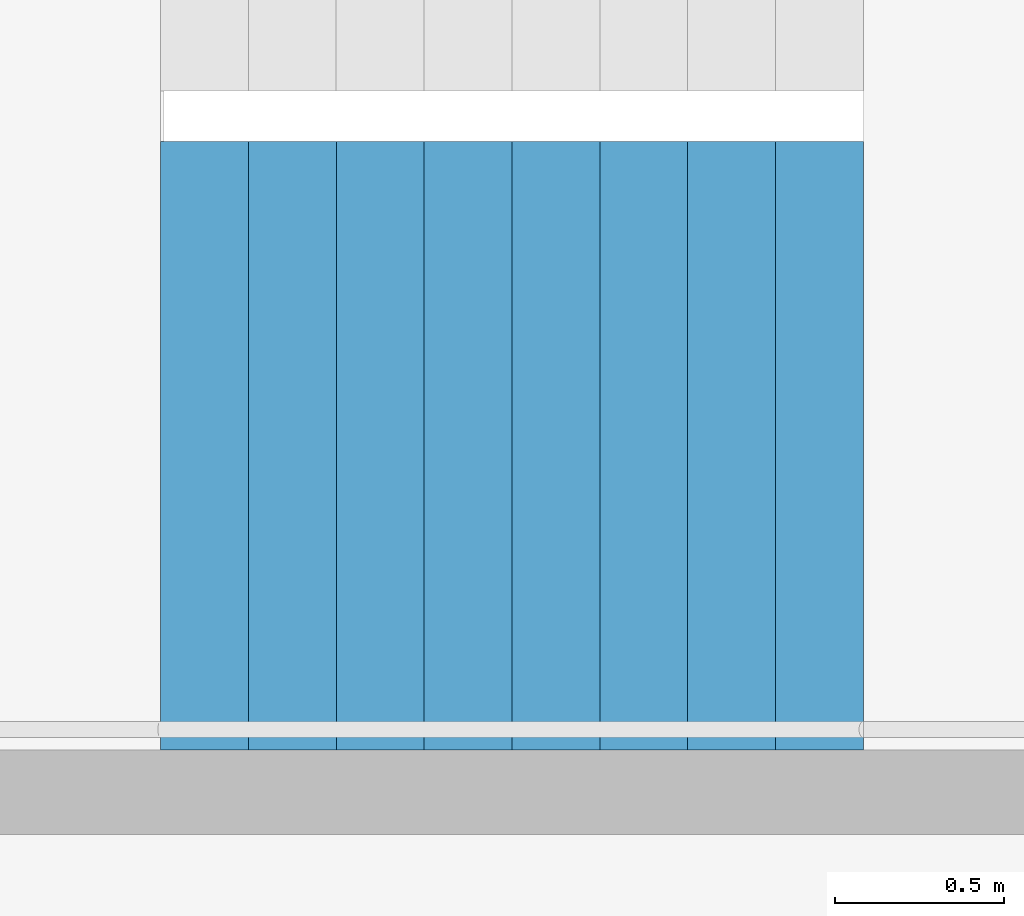
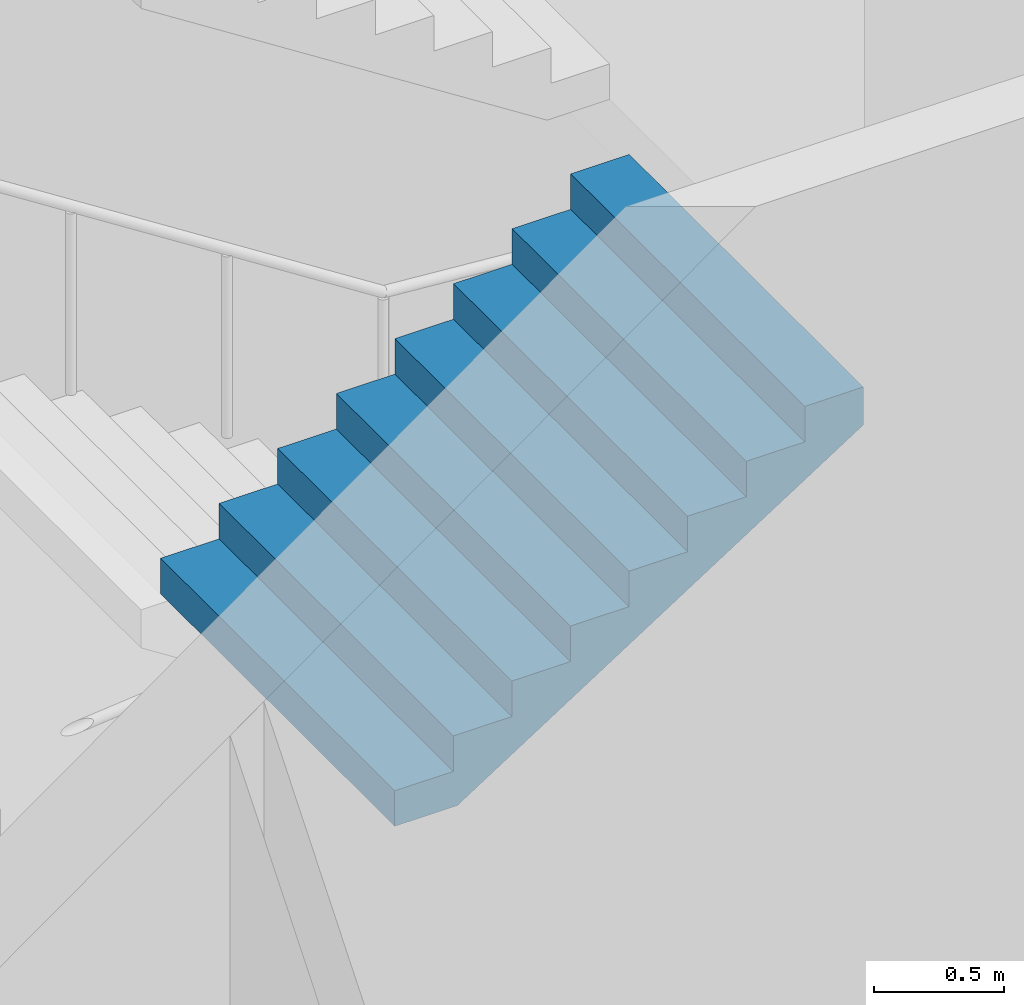
# One storey, part 23 of 35: 1 stair flight, 1 element without a shape of its own.
"""IFC4 building model written with IfcOpenShell, lengths in metres."""

from ifc_helpers import new_model, si_unit, direction, frame, origin, place, context, subcontext, project, spatial, triangles, material, type_object, element, aggregate, save


model = new_model("IFC4")

# Units and contexts
model_context = context("Model", 3, precision=1e-05, world=origin(), true_north=direction((0.0, 1.0)))
body_context = subcontext(model_context, "Body", "Model", "MODEL_VIEW")
ifc_project = project(units=[si_unit("LENGTHUNIT", "METRE"), si_unit("AREAUNIT", "SQUARE_METRE"), si_unit("VOLUMEUNIT", "CUBIC_METRE"), si_unit("PLANEANGLEUNIT", "RADIAN"), si_unit("MASSUNIT", "GRAM", prefix="KILO")], contexts=[model_context])

# Site, building, storey
site_placement = place(None, origin())
site = spatial("IfcSite", under=ifc_project, at=site_placement, CompositionType="ELEMENT")
building_placement = place(site_placement, origin())
building = spatial("IfcBuilding", under=site, at=building_placement, Name="Hakoniwa Tower and Hamabe Station Hall", CompositionType="ELEMENT")
storey_placement = place(building_placement, frame((0.0, 0.0, 270.60009765625)))
storey = spatial("IfcBuildingStorey", under=building, at=storey_placement, Name="L76", CompositionType="ELEMENT", Elevation=270.60009765625)

# Stair, stair flight
ifc_material_1 = material(Name="Concrete C40", Category="concrete")
stair_type = type_object("IfcStairType", Name="ESCAPE STAIR 1800", PredefinedType="HALF_TURN_STAIR", material=ifc_material_1)
stair_placement = place(storey_placement, origin())
stair = element("IfcStair", 1, at=stair_placement, inside=storey, type_object=stair_type, Name="Escape stair ST-1 L76", PredefinedType="HALF_TURN_STAIR")
ifc_material_2 = material(Name="Concrete C40", Category="concrete")
stair_flight_type = type_object("IfcStairFlightType", Name="STAIR FLIGHT 1800", PredefinedType="STRAIGHT", material=ifc_material_2)
stair_flight_placement = place(storey_placement, frame((-24.39990234375, 4.64990234375, 3.0), z_axis=(0.0, 0.0, 1.0), x_axis=(1.0, 0.0, 0.0)))
stair_flight = element("IfcStairFlight", 2, at=stair_flight_placement, type_object=stair_flight_type, Name="ST-1 flight 3", NumberOfRisers=9, NumberOfTreads=8, PredefinedType="STRAIGHT", RiserHeight=0.166666667, TreadLength=0.26, context=body_context, shape_type="Tessellation", body=[
    triangles([(0.0, 0.89990234375, 0.0), (0.260009765625, 0.89990234375, 0.0), (0.27783203125, 0.89990234375, 0.0), (0.52001953125, 0.89990234375, 0.1552734375), (0.780029296875, 0.89990234375, 0.322021484375), (1.0400390625, 0.89990234375, 0.488525390625), (1.300048828125, 0.89990234375, 0.6552734375), (1.56005859375, 0.89990234375, 0.822021484375), (1.820068359375, 0.89990234375, 0.988525390625), (2.080078125, 0.89990234375, 1.1552734375), (2.080078125, 0.89990234375, 1.333251953125), (1.820068359375, 0.89990234375, 1.333251953125), (1.820068359375, 0.89990234375, 1.166748046875), (1.56005859375, 0.89990234375, 1.166748046875), (1.56005859375, 0.89990234375, 1.0), (1.300048828125, 0.89990234375, 1.0), (1.300048828125, 0.89990234375, 0.833251953125), (1.0400390625, 0.89990234375, 0.833251953125), (1.0400390625, 0.89990234375, 0.666748046875), (0.780029296875, 0.89990234375, 0.666748046875), (0.780029296875, 0.89990234375, 0.5), (0.52001953125, 0.89990234375, 0.5), (0.52001953125, 0.89990234375, 0.333251953125), (0.27783203125, 0.89990234375, 0.333251953125), (0.260009765625, 0.89990234375, 0.333251953125), (0.260009765625, 0.89990234375, 0.166748046875), (0.0, 0.89990234375, 0.166748046875), (0.0, 0.06005859375, 0.0), (0.260009765625, 0.06005859375, 0.0), (0.27783203125, 0.06005859375, 0.0), (0.52001953125, 0.06005859375, 0.1552734375), (0.780029296875, 0.06005859375, 0.322021484375), (1.0400390625, 0.06005859375, 0.488525390625), (1.300048828125, 0.06005859375, 0.6552734375), (1.56005859375, 0.06005859375, 0.822021484375), (1.820068359375, 0.06005859375, 0.988525390625), (2.080078125, 0.06005859375, 1.1552734375), (2.080078125, 0.06005859375, 1.333251953125), (1.820068359375, 0.06005859375, 1.333251953125), (1.820068359375, 0.06005859375, 1.166748046875), (1.56005859375, 0.06005859375, 1.166748046875), (1.56005859375, 0.06005859375, 1.0), (1.300048828125, 0.06005859375, 1.0), (1.300048828125, 0.06005859375, 0.833251953125), (1.0400390625, 0.06005859375, 0.833251953125), (1.0400390625, 0.06005859375, 0.666748046875), (0.780029296875, 0.06005859375, 0.666748046875), (0.780029296875, 0.06005859375, 0.5), (0.52001953125, 0.06005859375, 0.5), (0.52001953125, 0.06005859375, 0.333251953125), (0.27783203125, 0.06005859375, 0.333251953125), (0.260009765625, 0.06005859375, 0.333251953125), (0.260009765625, 0.06005859375, 0.166748046875), (0.0, 0.06005859375, 0.166748046875), (0.0, 0.04296875, 0.0), (0.260009765625, 0.04296875, 0.0), (0.27783203125, 0.04296875, 0.0), (0.52001953125, 0.04296875, 0.1552734375), (0.780029296875, 0.04296875, 0.322021484375), (1.0400390625, 0.04296875, 0.488525390625), (1.300048828125, 0.04296875, 0.6552734375), (1.56005859375, 0.04296875, 0.822021484375), (1.820068359375, 0.04296875, 0.988525390625), (2.080078125, 0.04296875, 1.1552734375), (2.080078125, 0.04296875, 1.333251953125), (1.820068359375, 0.04296875, 1.333251953125), (1.820068359375, 0.04296875, 1.166748046875), (1.56005859375, 0.04296875, 1.166748046875), (1.56005859375, 0.04296875, 1.0), (1.300048828125, 0.04296875, 1.0), (1.300048828125, 0.04296875, 0.833251953125), (1.0400390625, 0.04296875, 0.833251953125), (1.0400390625, 0.04296875, 0.666748046875), (0.780029296875, 0.04296875, 0.666748046875), (0.780029296875, 0.04296875, 0.5), (0.52001953125, 0.04296875, 0.5), (0.52001953125, 0.04296875, 0.333251953125), (0.27783203125, 0.04296875, 0.333251953125), (0.260009765625, 0.04296875, 0.333251953125), (0.260009765625, 0.04296875, 0.166748046875), (0.0, 0.04296875, 0.166748046875), (0.0, 0.025634765625, 0.0), (0.260009765625, 0.025634765625, 0.0), (0.27783203125, 0.025634765625, 0.0), (0.52001953125, 0.025634765625, 0.1552734375), (0.780029296875, 0.025634765625, 0.322021484375), (1.0400390625, 0.025634765625, 0.488525390625), (1.300048828125, 0.025634765625, 0.6552734375), (1.56005859375, 0.025634765625, 0.822021484375), (1.820068359375, 0.025634765625, 0.988525390625), (2.080078125, 0.025634765625, 1.1552734375), (2.080078125, 0.025634765625, 1.333251953125), (1.820068359375, 0.025634765625, 1.333251953125), (1.820068359375, 0.025634765625, 1.166748046875), (1.56005859375, 0.025634765625, 1.166748046875), (1.56005859375, 0.025634765625, 1.0), (1.300048828125, 0.025634765625, 1.0), (1.300048828125, 0.025634765625, 0.833251953125), (1.0400390625, 0.025634765625, 0.833251953125), (1.0400390625, 0.025634765625, 0.666748046875), (0.780029296875, 0.025634765625, 0.666748046875), (0.780029296875, 0.025634765625, 0.5), (0.52001953125, 0.025634765625, 0.5), (0.52001953125, 0.025634765625, 0.333251953125), (0.27783203125, 0.025634765625, 0.333251953125), (0.260009765625, 0.025634765625, 0.333251953125), (0.260009765625, 0.025634765625, 0.166748046875), (0.0, 0.025634765625, 0.166748046875), (0.0, 0.008544921875, 0.0), (0.260009765625, 0.008544921875, 0.0), (0.27783203125, 0.008544921875, 0.0), (0.52001953125, 0.008544921875, 0.1552734375), (0.780029296875, 0.008544921875, 0.322021484375), (1.0400390625, 0.008544921875, 0.488525390625), (1.300048828125, 0.008544921875, 0.6552734375), (1.56005859375, 0.008544921875, 0.822021484375), (1.820068359375, 0.008544921875, 0.988525390625), (2.080078125, 0.008544921875, 1.1552734375), (2.080078125, 0.008544921875, 1.333251953125), (1.820068359375, 0.008544921875, 1.333251953125), (1.820068359375, 0.008544921875, 1.166748046875), (1.56005859375, 0.008544921875, 1.166748046875), (1.56005859375, 0.008544921875, 1.0), (1.300048828125, 0.008544921875, 1.0), (1.300048828125, 0.008544921875, 0.833251953125), (1.0400390625, 0.008544921875, 0.833251953125), (1.0400390625, 0.008544921875, 0.666748046875), (0.780029296875, 0.008544921875, 0.666748046875), (0.780029296875, 0.008544921875, 0.5), (0.52001953125, 0.008544921875, 0.5), (0.52001953125, 0.008544921875, 0.333251953125), (0.27783203125, 0.008544921875, 0.333251953125), (0.260009765625, 0.008544921875, 0.333251953125), (0.260009765625, 0.008544921875, 0.166748046875), (0.0, 0.008544921875, 0.166748046875), (0.0, -0.008544921875, 0.0), (0.260009765625, -0.008544921875, 0.0), (0.27783203125, -0.008544921875, 0.0), (0.52001953125, -0.008544921875, 0.1552734375), (0.780029296875, -0.008544921875, 0.322021484375), (1.0400390625, -0.008544921875, 0.488525390625), (1.300048828125, -0.008544921875, 0.6552734375), (1.56005859375, -0.008544921875, 0.822021484375), (1.820068359375, -0.008544921875, 0.988525390625), (2.080078125, -0.008544921875, 1.1552734375), (2.080078125, -0.008544921875, 1.333251953125), (1.820068359375, -0.008544921875, 1.333251953125), (1.820068359375, -0.008544921875, 1.166748046875), (1.56005859375, -0.008544921875, 1.166748046875), (1.56005859375, -0.008544921875, 1.0), (1.300048828125, -0.008544921875, 1.0), (1.300048828125, -0.008544921875, 0.833251953125), (1.0400390625, -0.008544921875, 0.833251953125), (1.0400390625, -0.008544921875, 0.666748046875), (0.780029296875, -0.008544921875, 0.666748046875), (0.780029296875, -0.008544921875, 0.5), (0.52001953125, -0.008544921875, 0.5), (0.52001953125, -0.008544921875, 0.333251953125), (0.27783203125, -0.008544921875, 0.333251953125), (0.260009765625, -0.008544921875, 0.333251953125), (0.260009765625, -0.008544921875, 0.166748046875), (0.0, -0.008544921875, 0.166748046875), (0.0, -0.025634765625, 0.0), (0.260009765625, -0.025634765625, 0.0), (0.27783203125, -0.025634765625, 0.0), (0.52001953125, -0.025634765625, 0.1552734375), (0.780029296875, -0.025634765625, 0.322021484375), (1.0400390625, -0.025634765625, 0.488525390625), (1.300048828125, -0.025634765625, 0.6552734375), (1.56005859375, -0.025634765625, 0.822021484375), (1.820068359375, -0.025634765625, 0.988525390625), (2.080078125, -0.025634765625, 1.1552734375), (2.080078125, -0.025634765625, 1.333251953125), (1.820068359375, -0.025634765625, 1.333251953125), (1.820068359375, -0.025634765625, 1.166748046875), (1.56005859375, -0.025634765625, 1.166748046875), (1.56005859375, -0.025634765625, 1.0), (1.300048828125, -0.025634765625, 1.0), (1.300048828125, -0.025634765625, 0.833251953125), (1.0400390625, -0.025634765625, 0.833251953125), (1.0400390625, -0.025634765625, 0.666748046875), (0.780029296875, -0.025634765625, 0.666748046875), (0.780029296875, -0.025634765625, 0.5), (0.52001953125, -0.025634765625, 0.5), (0.52001953125, -0.025634765625, 0.333251953125), (0.27783203125, -0.025634765625, 0.333251953125), (0.260009765625, -0.025634765625, 0.333251953125), (0.260009765625, -0.025634765625, 0.166748046875), (0.0, -0.025634765625, 0.166748046875), (0.0, -0.04296875, 0.0), (0.260009765625, -0.04296875, 0.0), (0.27783203125, -0.04296875, 0.0), (0.52001953125, -0.04296875, 0.1552734375), (0.780029296875, -0.04296875, 0.322021484375), (1.0400390625, -0.04296875, 0.488525390625), (1.300048828125, -0.04296875, 0.6552734375), (1.56005859375, -0.04296875, 0.822021484375), (1.820068359375, -0.04296875, 0.988525390625), (2.080078125, -0.04296875, 1.1552734375), (2.080078125, -0.04296875, 1.333251953125), (1.820068359375, -0.04296875, 1.333251953125), (1.820068359375, -0.04296875, 1.166748046875), (1.56005859375, -0.04296875, 1.166748046875), (1.56005859375, -0.04296875, 1.0), (1.300048828125, -0.04296875, 1.0), (1.300048828125, -0.04296875, 0.833251953125), (1.0400390625, -0.04296875, 0.833251953125), (1.0400390625, -0.04296875, 0.666748046875), (0.780029296875, -0.04296875, 0.666748046875), (0.780029296875, -0.04296875, 0.5), (0.52001953125, -0.04296875, 0.5), (0.52001953125, -0.04296875, 0.333251953125), (0.27783203125, -0.04296875, 0.333251953125), (0.260009765625, -0.04296875, 0.333251953125), (0.260009765625, -0.04296875, 0.166748046875), (0.0, -0.04296875, 0.166748046875), (0.0, -0.06005859375, 0.0), (0.260009765625, -0.06005859375, 0.0), (0.27783203125, -0.06005859375, 0.0), (0.52001953125, -0.06005859375, 0.1552734375), (0.780029296875, -0.06005859375, 0.322021484375), (1.0400390625, -0.06005859375, 0.488525390625), (1.300048828125, -0.06005859375, 0.6552734375), (1.56005859375, -0.06005859375, 0.822021484375), (1.820068359375, -0.06005859375, 0.988525390625), (2.080078125, -0.06005859375, 1.1552734375), (2.080078125, -0.06005859375, 1.333251953125), (1.820068359375, -0.06005859375, 1.333251953125), (1.820068359375, -0.06005859375, 1.166748046875), (1.56005859375, -0.06005859375, 1.166748046875), (1.56005859375, -0.06005859375, 1.0), (1.300048828125, -0.06005859375, 1.0), (1.300048828125, -0.06005859375, 0.833251953125), (1.0400390625, -0.06005859375, 0.833251953125), (1.0400390625, -0.06005859375, 0.666748046875), (0.780029296875, -0.06005859375, 0.666748046875), (0.780029296875, -0.06005859375, 0.5), (0.52001953125, -0.06005859375, 0.5), (0.52001953125, -0.06005859375, 0.333251953125), (0.27783203125, -0.06005859375, 0.333251953125), (0.260009765625, -0.06005859375, 0.333251953125), (0.260009765625, -0.06005859375, 0.166748046875), (0.0, -0.06005859375, 0.166748046875), (0.0, -0.89990234375, 0.0), (0.260009765625, -0.89990234375, 0.0), (0.27783203125, -0.89990234375, 0.0), (0.52001953125, -0.89990234375, 0.1552734375), (0.780029296875, -0.89990234375, 0.322021484375), (1.0400390625, -0.89990234375, 0.488525390625), (1.300048828125, -0.89990234375, 0.6552734375), (1.56005859375, -0.89990234375, 0.822021484375), (1.820068359375, -0.89990234375, 0.988525390625), (2.080078125, -0.89990234375, 1.1552734375), (2.080078125, -0.89990234375, 1.333251953125), (1.820068359375, -0.89990234375, 1.333251953125), (1.820068359375, -0.89990234375, 1.166748046875), (1.56005859375, -0.89990234375, 1.166748046875), (1.56005859375, -0.89990234375, 1.0), (1.300048828125, -0.89990234375, 1.0), (1.300048828125, -0.89990234375, 0.833251953125), (1.0400390625, -0.89990234375, 0.833251953125), (1.0400390625, -0.89990234375, 0.666748046875), (0.780029296875, -0.89990234375, 0.666748046875), (0.780029296875, -0.89990234375, 0.5), (0.52001953125, -0.89990234375, 0.5), (0.52001953125, -0.89990234375, 0.333251953125), (0.27783203125, -0.89990234375, 0.333251953125), (0.260009765625, -0.89990234375, 0.333251953125), (0.260009765625, -0.89990234375, 0.166748046875), (0.0, -0.89990234375, 0.166748046875)], [[2, 27, 26], [245, 269, 270], [2, 1, 27], [245, 270, 244], [3, 25, 24], [246, 267, 268], [3, 26, 25], [246, 268, 269], [3, 2, 26], [246, 269, 245], [4, 24, 23], [247, 266, 267], [4, 3, 24], [247, 267, 246], [5, 22, 21], [248, 264, 265], [5, 23, 22], [248, 265, 266], [5, 4, 23], [248, 266, 247], [6, 20, 19], [249, 262, 263], [6, 21, 20], [249, 263, 264], [6, 5, 21], [249, 264, 248], [7, 18, 17], [250, 260, 261], [7, 19, 18], [250, 261, 262], [7, 6, 19], [250, 262, 249], [8, 16, 15], [251, 258, 259], [8, 17, 16], [251, 259, 260], [8, 7, 17], [251, 260, 250], [9, 14, 13], [252, 256, 257], [9, 15, 14], [252, 257, 258], [9, 8, 15], [252, 258, 251], [10, 12, 11], [253, 254, 255], [10, 13, 12], [253, 255, 256], [10, 9, 13], [253, 256, 252], [1, 2, 29], [1, 29, 28], [28, 29, 56], [28, 56, 55], [55, 56, 83], [55, 83, 82], [82, 83, 110], [82, 110, 109], [109, 110, 137], [109, 137, 136], [136, 137, 164], [136, 164, 163], [163, 164, 191], [163, 191, 190], [190, 191, 218], [190, 218, 217], [217, 218, 245], [217, 245, 244], [2, 3, 30], [2, 30, 29], [29, 30, 57], [29, 57, 56], [56, 57, 84], [56, 84, 83], [83, 84, 111], [83, 111, 110], [110, 111, 138], [110, 138, 137], [137, 138, 165], [137, 165, 164], [164, 165, 192], [164, 192, 191], [191, 192, 219], [191, 219, 218], [218, 219, 246], [218, 246, 245], [3, 4, 31], [3, 31, 30], [30, 31, 58], [30, 58, 57], [57, 58, 85], [57, 85, 84], [84, 85, 112], [84, 112, 111], [111, 112, 139], [111, 139, 138], [138, 139, 166], [138, 166, 165], [165, 166, 193], [165, 193, 192], [192, 193, 220], [192, 220, 219], [219, 220, 247], [219, 247, 246], [4, 5, 32], [4, 32, 31], [31, 32, 59], [31, 59, 58], [58, 59, 86], [58, 86, 85], [85, 86, 113], [85, 113, 112], [112, 113, 140], [112, 140, 139], [139, 140, 167], [139, 167, 166], [166, 167, 194], [166, 194, 193], [193, 194, 221], [193, 221, 220], [220, 221, 248], [220, 248, 247], [5, 6, 33], [5, 33, 32], [32, 33, 60], [32, 60, 59], [59, 60, 87], [59, 87, 86], [86, 87, 114], [86, 114, 113], [113, 114, 141], [113, 141, 140], [140, 141, 168], [140, 168, 167], [167, 168, 195], [167, 195, 194], [194, 195, 222], [194, 222, 221], [221, 222, 249], [221, 249, 248], [6, 7, 34], [6, 34, 33], [33, 34, 61], [33, 61, 60], [60, 61, 88], [60, 88, 87], [87, 88, 115], [87, 115, 114], [114, 115, 142], [114, 142, 141], [141, 142, 169], [141, 169, 168], [168, 169, 196], [168, 196, 195], [195, 196, 223], [195, 223, 222], [222, 223, 250], [222, 250, 249], [7, 8, 35], [7, 35, 34], [34, 35, 62], [34, 62, 61], [61, 62, 89], [61, 89, 88], [88, 89, 116], [88, 116, 115], [115, 116, 143], [115, 143, 142], [142, 143, 170], [142, 170, 169], [169, 170, 197], [169, 197, 196], [196, 197, 224], [196, 224, 223], [223, 224, 251], [223, 251, 250], [8, 9, 36], [8, 36, 35], [35, 36, 63], [35, 63, 62], [62, 63, 90], [62, 90, 89], [89, 90, 117], [89, 117, 116], [116, 117, 144], [116, 144, 143], [143, 144, 171], [143, 171, 170], [170, 171, 198], [170, 198, 197], [197, 198, 225], [197, 225, 224], [224, 225, 252], [224, 252, 251], [9, 10, 37], [9, 37, 36], [36, 37, 64], [36, 64, 63], [63, 64, 91], [63, 91, 90], [90, 91, 118], [90, 118, 117], [117, 118, 145], [117, 145, 144], [144, 145, 172], [144, 172, 171], [171, 172, 199], [171, 199, 198], [198, 199, 226], [198, 226, 225], [225, 226, 253], [225, 253, 252], [10, 11, 38], [10, 38, 37], [37, 38, 65], [37, 65, 64], [64, 65, 92], [64, 92, 91], [91, 92, 119], [91, 119, 118], [118, 119, 146], [118, 146, 145], [145, 146, 173], [145, 173, 172], [172, 173, 200], [172, 200, 199], [199, 200, 227], [199, 227, 226], [226, 227, 254], [226, 254, 253], [11, 12, 39], [11, 39, 38], [38, 39, 66], [38, 66, 65], [65, 66, 93], [65, 93, 92], [92, 93, 120], [92, 120, 119], [119, 120, 147], [119, 147, 146], [146, 147, 174], [146, 174, 173], [173, 174, 201], [173, 201, 200], [200, 201, 228], [200, 228, 227], [227, 228, 255], [227, 255, 254], [12, 13, 40], [12, 40, 39], [39, 40, 67], [39, 67, 66], [66, 67, 94], [66, 94, 93], [93, 94, 121], [93, 121, 120], [120, 121, 148], [120, 148, 147], [147, 148, 175], [147, 175, 174], [174, 175, 202], [174, 202, 201], [201, 202, 229], [201, 229, 228], [228, 229, 256], [228, 256, 255], [13, 14, 41], [13, 41, 40], [40, 41, 68], [40, 68, 67], [67, 68, 95], [67, 95, 94], [94, 95, 122], [94, 122, 121], [121, 122, 149], [121, 149, 148], [148, 149, 176], [148, 176, 175], [175, 176, 203], [175, 203, 202], [202, 203, 230], [202, 230, 229], [229, 230, 257], [229, 257, 256], [14, 15, 42], [14, 42, 41], [41, 42, 69], [41, 69, 68], [68, 69, 96], [68, 96, 95], [95, 96, 123], [95, 123, 122], [122, 123, 150], [122, 150, 149], [149, 150, 177], [149, 177, 176], [176, 177, 204], [176, 204, 203], [203, 204, 231], [203, 231, 230], [230, 231, 258], [230, 258, 257], [15, 16, 43], [15, 43, 42], [42, 43, 70], [42, 70, 69], [69, 70, 97], [69, 97, 96], [96, 97, 124], [96, 124, 123], [123, 124, 151], [123, 151, 150], [150, 151, 178], [150, 178, 177], [177, 178, 205], [177, 205, 204], [204, 205, 232], [204, 232, 231], [231, 232, 259], [231, 259, 258], [16, 17, 44], [16, 44, 43], [43, 44, 71], [43, 71, 70], [70, 71, 98], [70, 98, 97], [97, 98, 125], [97, 125, 124], [124, 125, 152], [124, 152, 151], [151, 152, 179], [151, 179, 178], [178, 179, 206], [178, 206, 205], [205, 206, 233], [205, 233, 232], [232, 233, 260], [232, 260, 259], [17, 18, 45], [17, 45, 44], [44, 45, 72], [44, 72, 71], [71, 72, 99], [71, 99, 98], [98, 99, 126], [98, 126, 125], [125, 126, 153], [125, 153, 152], [152, 153, 180], [152, 180, 179], [179, 180, 207], [179, 207, 206], [206, 207, 234], [206, 234, 233], [233, 234, 261], [233, 261, 260], [18, 19, 46], [18, 46, 45], [45, 46, 73], [45, 73, 72], [72, 73, 100], [72, 100, 99], [99, 100, 127], [99, 127, 126], [126, 127, 154], [126, 154, 153], [153, 154, 181], [153, 181, 180], [180, 181, 208], [180, 208, 207], [207, 208, 235], [207, 235, 234], [234, 235, 262], [234, 262, 261], [19, 20, 47], [19, 47, 46], [46, 47, 74], [46, 74, 73], [73, 74, 101], [73, 101, 100], [100, 101, 128], [100, 128, 127], [127, 128, 155], [127, 155, 154], [154, 155, 182], [154, 182, 181], [181, 182, 209], [181, 209, 208], [208, 209, 236], [208, 236, 235], [235, 236, 263], [235, 263, 262], [20, 21, 48], [20, 48, 47], [47, 48, 75], [47, 75, 74], [74, 75, 102], [74, 102, 101], [101, 102, 129], [101, 129, 128], [128, 129, 156], [128, 156, 155], [155, 156, 183], [155, 183, 182], [182, 183, 210], [182, 210, 209], [209, 210, 237], [209, 237, 236], [236, 237, 264], [236, 264, 263], [21, 22, 49], [21, 49, 48], [48, 49, 76], [48, 76, 75], [75, 76, 103], [75, 103, 102], [102, 103, 130], [102, 130, 129], [129, 130, 157], [129, 157, 156], [156, 157, 184], [156, 184, 183], [183, 184, 211], [183, 211, 210], [210, 211, 238], [210, 238, 237], [237, 238, 265], [237, 265, 264], [22, 23, 50], [22, 50, 49], [49, 50, 77], [49, 77, 76], [76, 77, 104], [76, 104, 103], [103, 104, 131], [103, 131, 130], [130, 131, 158], [130, 158, 157], [157, 158, 185], [157, 185, 184], [184, 185, 212], [184, 212, 211], [211, 212, 239], [211, 239, 238], [238, 239, 266], [238, 266, 265], [23, 24, 51], [23, 51, 50], [50, 51, 78], [50, 78, 77], [77, 78, 105], [77, 105, 104], [104, 105, 132], [104, 132, 131], [131, 132, 159], [131, 159, 158], [158, 159, 186], [158, 186, 185], [185, 186, 213], [185, 213, 212], [212, 213, 240], [212, 240, 239], [239, 240, 267], [239, 267, 266], [24, 25, 52], [24, 52, 51], [51, 52, 79], [51, 79, 78], [78, 79, 106], [78, 106, 105], [105, 106, 133], [105, 133, 132], [132, 133, 160], [132, 160, 159], [159, 160, 187], [159, 187, 186], [186, 187, 214], [186, 214, 213], [213, 214, 241], [213, 241, 240], [240, 241, 268], [240, 268, 267], [25, 26, 53], [25, 53, 52], [52, 53, 80], [52, 80, 79], [79, 80, 107], [79, 107, 106], [106, 107, 134], [106, 134, 133], [133, 134, 161], [133, 161, 160], [160, 161, 188], [160, 188, 187], [187, 188, 215], [187, 215, 214], [214, 215, 242], [214, 242, 241], [241, 242, 269], [241, 269, 268], [26, 27, 54], [26, 54, 53], [53, 54, 81], [53, 81, 80], [80, 81, 108], [80, 108, 107], [107, 108, 135], [107, 135, 134], [134, 135, 162], [134, 162, 161], [161, 162, 189], [161, 189, 188], [188, 189, 216], [188, 216, 215], [215, 216, 243], [215, 243, 242], [242, 243, 270], [242, 270, 269], [27, 1, 28], [27, 28, 54], [54, 28, 55], [54, 55, 81], [81, 55, 82], [81, 82, 108], [108, 82, 109], [108, 109, 135], [135, 109, 136], [135, 136, 162], [162, 136, 163], [162, 163, 189], [189, 163, 190], [189, 190, 216], [216, 190, 217], [216, 217, 243], [243, 217, 244], [243, 244, 270]], closed=True),
])
aggregate(stair, [stair_flight])

save(model, "model.ifc")
